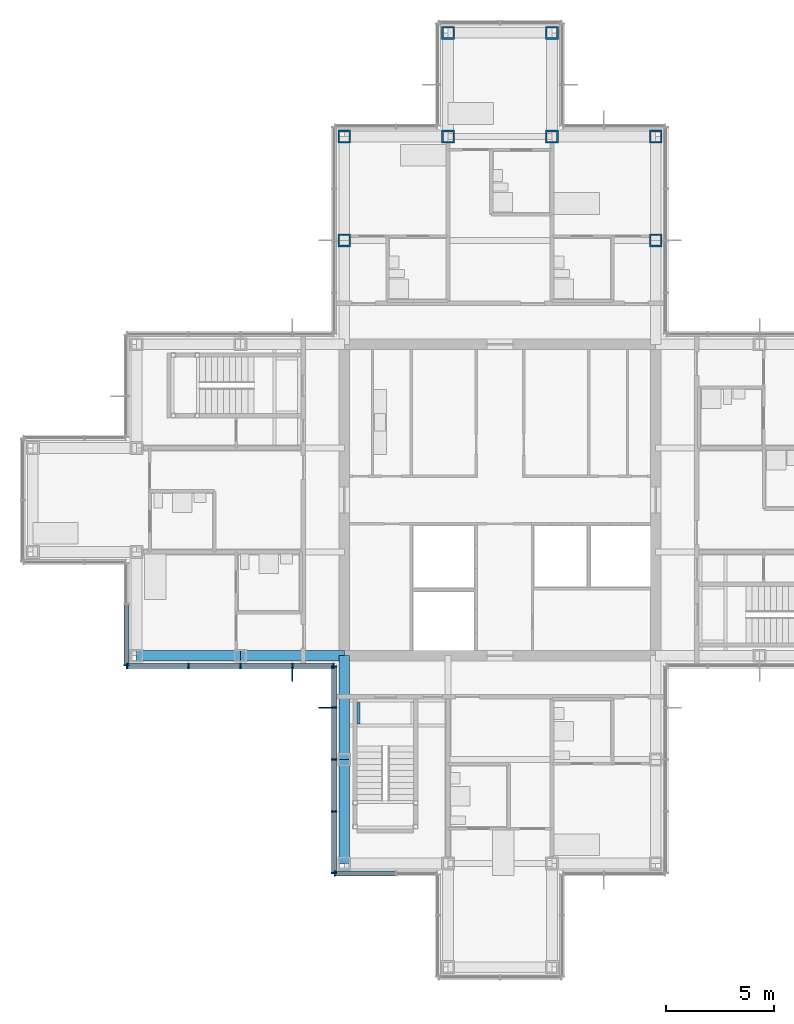
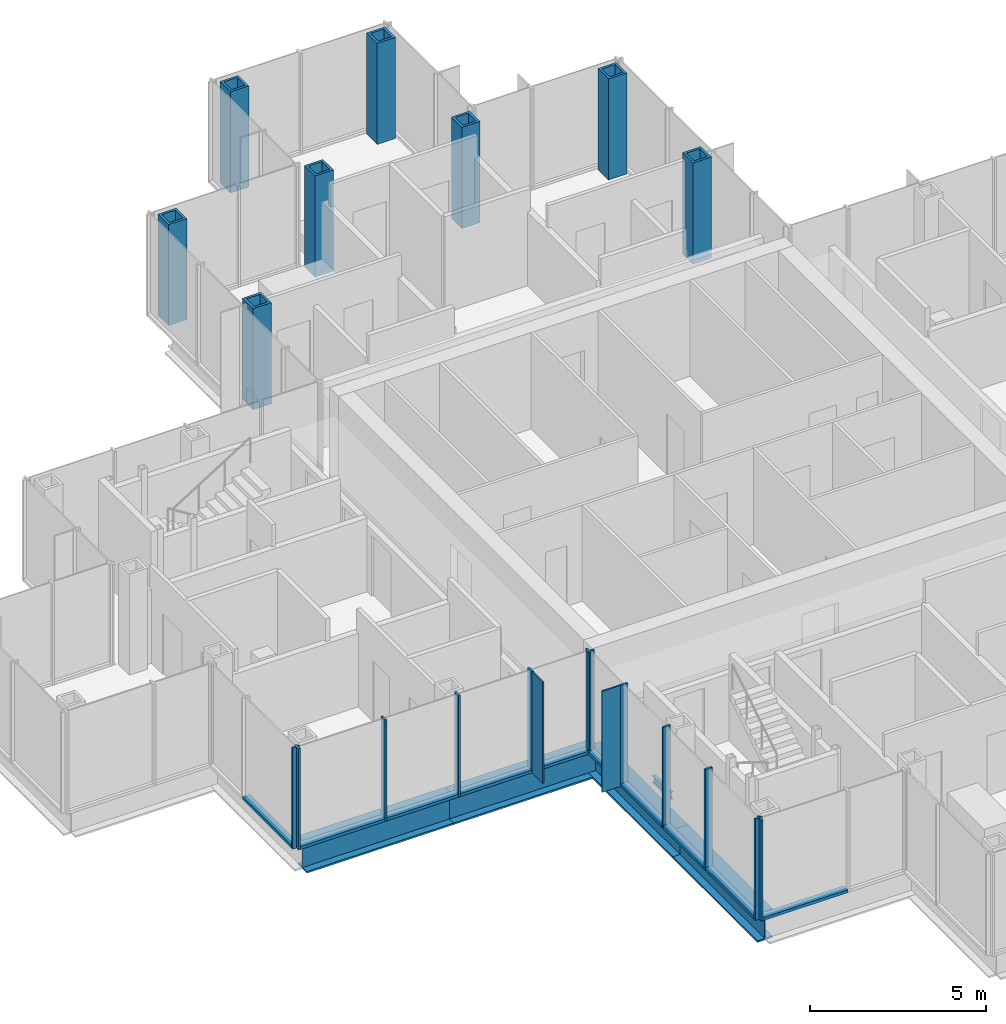
# One storey, part 5 of 17: 24 members, 8 columns, 5 beams, 4 elements without a shape of their own.
"""IFC4 building model written with IfcOpenShell, lengths in metres."""

from ifc_helpers import new_model, si_unit, direction, frame, origin, origin_2d, place, context, subcontext, project, spatial, rectangle, hollow_rectangle, i_section, extrude, material, material_profile, profile_set, type_object, element, aggregate, save


model = new_model("IFC4")

# Units and contexts
model_context = context("Model", 3, precision=1e-05, world=origin(), true_north=direction((0.0, 1.0)))
body_context = subcontext(model_context, "Body", "Model", "MODEL_VIEW")
ifc_project = project(units=[si_unit("LENGTHUNIT", "METRE"), si_unit("AREAUNIT", "SQUARE_METRE"), si_unit("VOLUMEUNIT", "CUBIC_METRE"), si_unit("PLANEANGLEUNIT", "RADIAN"), si_unit("MASSUNIT", "GRAM", prefix="KILO")], contexts=[model_context])

# Site, building, storey
site_placement = place(None, origin())
site = spatial("IfcSite", under=ifc_project, at=site_placement, CompositionType="ELEMENT")
building_placement = place(site_placement, origin())
building = spatial("IfcBuilding", under=site, at=building_placement, Name="Kvirike Care Tower", CompositionType="ELEMENT")
storey_placement = place(building_placement, frame((0.0, 0.0, 179.5)))
storey = spatial("IfcBuildingStorey", under=building, at=storey_placement, Name="L49", CompositionType="ELEMENT", Elevation=179.5)

# Columns
ifc_material_1 = material(Name="Steel S460", Category="steel")
ifc_material_profile_1 = material_profile(ifc_material_1, hollow_rectangle(XDim=0.60009765625, YDim=0.60009765625, WallThickness=0.080078125, at=origin_2d()), Name="BX 600x600x80")
ifc_profile_set_1 = profile_set([ifc_material_profile_1], Name="Steel S460")
column_type = type_object("IfcColumnType", Name="COLUMN BX 600x600x80", PredefinedType="COLUMN", material=ifc_profile_set_1)
for number, where, z_axis, x_axis, name in (
    (1, (14.39990234375, 48.0, 0.0), (0.0, 0.0, 1.0), (1.0, 0.0, 0.0), "Column L6 L49"),
    (2, (14.39990234375, 52.800048828125, 0.0), (0.0, 0.0, 1.0), (0.0, 1.0, 0.0), "Column M6 L49"),
    (3, (19.199951171875, 52.800048828125, 0.0), (0.0, 0.0, 1.0), (0.0, 1.0, 0.0), "Column M7 L49"),
    (4, (19.199951171875, 57.60009765625, 0.0), (0.0, 0.0, 1.0), (0.0, 1.0, 0.0), "Column N7 L49"),
    (5, (24.0, 52.800048828125, 0.0), (0.0, 0.0, 1.0), (0.0, 1.0, 0.0), "Column M8 L49"),
    (6, (24.0, 57.60009765625, 0.0), (0.0, 0.0, 1.0), (0.0, 1.0, 0.0), "Column N8 L49"),
    (7, (28.800048828125, 48.0, 0.0), (0.0, 0.0, 1.0), (1.0, 0.0, 0.0), "Column L9 L49"),
    (8, (28.800048828125, 52.800048828125, 0.0), (0.0, 0.0, 1.0), (0.0, 1.0, 0.0), "Column M9 L49"),
):
    element("IfcColumn", number, at=place(storey_placement, frame(where, z_axis=z_axis, x_axis=x_axis)), inside=storey, type_object=column_type, Name=name, PredefinedType="COLUMN", context=body_context, shape_type="SweptSolid", body=[
        extrude(hollow_rectangle(XDim=0.60009765625, YDim=0.60009765625, WallThickness=0.080078125, at=origin_2d()), origin(), (0.0, 0.0, 1.0), 3.5),
    ])

# Curtain wall, member
ifc_material_2 = material(Name="Anodised aluminium stick system", Category="aluminium")
curtain_wall_type = type_object("IfcCurtainWallType", Name="CW-C STICK CURTAIN WALL", PredefinedType="NOTDEFINED", material=ifc_material_2)
curtain_wall_1_placement = place(storey_placement, origin())
curtain_wall_1 = element("IfcCurtainWall", 9, at=curtain_wall_1_placement, inside=storey, type_object=curtain_wall_type, Name="Curtain wall L49 face 21", PredefinedType="NOTDEFINED")
ifc_material_3 = material(Name="Bronze anodised aluminium fin", Category="aluminium")
ifc_material_profile_2 = material_profile(ifc_material_3, rectangle(XDim=0.050048828125, YDim=0.60009765625, at=origin_2d()), Name="BRONZE FIN 600")
ifc_profile_set_2 = profile_set([ifc_material_profile_2], Name="Bronze anodised aluminium fin")
member_type_1 = type_object("IfcMemberType", Name="BRONZE FIN 600", PredefinedType="USERDEFINED", material=ifc_profile_set_2)
member_1_placement = place(storey_placement, frame((12.0, 27.909912109375, 0.0), z_axis=(0.0, 0.0, 1.0), x_axis=(1.0, 0.0, 0.0)))
member_1 = element("IfcMember", 10, at=member_1_placement, type_object=member_type_1, Name="Bronze fin L49 face 21.4", ObjectType="FIN", PredefinedType="USERDEFINED", context=body_context, shape_type="SweptSolid", body=[
    extrude(rectangle(XDim=0.050048828125, YDim=0.60009765625, at=origin_2d()), origin(), (0.0, 0.0, 1.0), 3.5),
])

curtain_wall_2_placement = place(storey_placement, origin())
curtain_wall_2 = element("IfcCurtainWall", 11, at=curtain_wall_2_placement, inside=storey, type_object=curtain_wall_type, Name="Curtain wall L49 face 22", PredefinedType="NOTDEFINED")
member_2_placement = place(storey_placement, frame((13.510009765625, 26.39990234375, 0.0), z_axis=(0.0, 0.0, 1.0), x_axis=(0.0, -1.0, 0.0)))
member_2 = element("IfcMember", 12, at=member_2_placement, type_object=member_type_1, Name="Bronze fin L49 face 22.2", ObjectType="FIN", PredefinedType="USERDEFINED", context=body_context, shape_type="SweptSolid", body=[
    extrude(rectangle(XDim=0.050048828125, YDim=0.60009765625, at=origin_2d()), origin(), (0.0, 0.0, 1.0), 3.5),
])

curtain_wall_3_placement = place(storey_placement, origin())
curtain_wall_3 = element("IfcCurtainWall", 13, at=curtain_wall_3_placement, inside=storey, type_object=curtain_wall_type, Name="Curtain wall L49 face 20", PredefinedType="NOTDEFINED")
ifc_material_4 = material(Name="Bronze anodised aluminium mullion", Category="aluminium")
ifc_material_profile_3 = material_profile(ifc_material_4, rectangle(XDim=0.06494140625, YDim=0.239990234375, at=origin_2d()), Name="CW-C MULLION 65x240")
ifc_profile_set_3 = profile_set([ifc_material_profile_3], Name="Bronze anodised aluminium mullion")
member_type_2 = type_object("IfcMemberType", Name="CW-C MULLION 65x240", PredefinedType="MULLION", material=ifc_profile_set_3)
member_3_placement = place(storey_placement, frame((4.330078125, 28.362548828125, 0.0), z_axis=(0.0, 0.0, 1.0), x_axis=(0.0, -1.0, 0.0)))
member_3 = element("IfcMember", 14, at=member_3_placement, type_object=member_type_2, Name="CW-C mullion L49 face 20.3", PredefinedType="MULLION", context=body_context, shape_type="SweptSolid", body=[
    extrude(rectangle(XDim=0.06494140625, YDim=0.239990234375, at=origin_2d()), origin(), (0.0, 0.0, 1.0), 3.5),
])

# Member
member_4_placement = place(storey_placement, frame((4.362548828125, 28.330078125, 0.0), z_axis=(0.0, 0.0, 1.0), x_axis=(1.0, 0.0, 0.0)))
member_4 = element("IfcMember", 15, at=member_4_placement, type_object=member_type_2, Name="CW-C mullion L49 face 21.1", PredefinedType="MULLION", context=body_context, shape_type="SweptSolid", body=[
    extrude(rectangle(XDim=0.06494140625, YDim=0.239990234375, at=origin_2d()), origin(), (0.0, 0.0, 1.0), 3.5),
])

member_5_placement = place(storey_placement, frame((7.199951171875, 28.330078125, 0.0), z_axis=(0.0, 0.0, 1.0), x_axis=(1.0, 0.0, 0.0)))
member_5 = element("IfcMember", 16, at=member_5_placement, type_object=member_type_2, Name="CW-C mullion L49 face 21.2", PredefinedType="MULLION", context=body_context, shape_type="SweptSolid", body=[
    extrude(rectangle(XDim=0.06494140625, YDim=0.239990234375, at=origin_2d()), origin(), (0.0, 0.0, 1.0), 3.5),
])

member_6_placement = place(storey_placement, frame((9.60009765625, 28.330078125, 0.0), z_axis=(0.0, 0.0, 1.0), x_axis=(1.0, 0.0, 0.0)))
member_6 = element("IfcMember", 17, at=member_6_placement, type_object=member_type_2, Name="CW-C mullion L49 face 21.3", PredefinedType="MULLION", context=body_context, shape_type="SweptSolid", body=[
    extrude(rectangle(XDim=0.06494140625, YDim=0.239990234375, at=origin_2d()), origin(), (0.0, 0.0, 1.0), 3.5),
])

member_7_placement = place(storey_placement, frame((12.0, 28.330078125, 0.0), z_axis=(0.0, 0.0, 1.0), x_axis=(1.0, 0.0, 0.0)))
member_7 = element("IfcMember", 18, at=member_7_placement, type_object=member_type_2, Name="CW-C mullion L49 face 21.4", PredefinedType="MULLION", context=body_context, shape_type="SweptSolid", body=[
    extrude(rectangle(XDim=0.06494140625, YDim=0.239990234375, at=origin_2d()), origin(), (0.0, 0.0, 1.0), 3.5),
])

member_8_placement = place(storey_placement, frame((13.8974609375, 28.330078125, 0.0), z_axis=(0.0, 0.0, 1.0), x_axis=(1.0, 0.0, 0.0)))
member_8 = element("IfcMember", 19, at=member_8_placement, type_object=member_type_2, Name="CW-C mullion L49 face 21.5", PredefinedType="MULLION", context=body_context, shape_type="SweptSolid", body=[
    extrude(rectangle(XDim=0.06494140625, YDim=0.239990234375, at=origin_2d()), origin(), (0.0, 0.0, 1.0), 3.5),
])

member_9_placement = place(storey_placement, frame((13.929931640625, 28.297607421875, 0.0), z_axis=(0.0, 0.0, 1.0), x_axis=(0.0, -1.0, 0.0)))
member_9 = element("IfcMember", 20, at=member_9_placement, type_object=member_type_2, Name="CW-C mullion L49 face 22.1", PredefinedType="MULLION", context=body_context, shape_type="SweptSolid", body=[
    extrude(rectangle(XDim=0.06494140625, YDim=0.239990234375, at=origin_2d()), origin(), (0.0, 0.0, 1.0), 3.5),
])

member_10_placement = place(storey_placement, frame((13.929931640625, 26.39990234375, 0.0), z_axis=(0.0, 0.0, 1.0), x_axis=(0.0, -1.0, 0.0)))
member_10 = element("IfcMember", 21, at=member_10_placement, type_object=member_type_2, Name="CW-C mullion L49 face 22.2", PredefinedType="MULLION", context=body_context, shape_type="SweptSolid", body=[
    extrude(rectangle(XDim=0.06494140625, YDim=0.239990234375, at=origin_2d()), origin(), (0.0, 0.0, 1.0), 3.5),
])

member_11_placement = place(storey_placement, frame((13.929931640625, 24.0, 0.0), z_axis=(0.0, 0.0, 1.0), x_axis=(0.0, -1.0, 0.0)))
member_11 = element("IfcMember", 22, at=member_11_placement, type_object=member_type_2, Name="CW-C mullion L49 face 22.3", PredefinedType="MULLION", context=body_context, shape_type="SweptSolid", body=[
    extrude(rectangle(XDim=0.06494140625, YDim=0.239990234375, at=origin_2d()), origin(), (0.0, 0.0, 1.0), 3.5),
])

member_12_placement = place(storey_placement, frame((13.929931640625, 21.60009765625, 0.0), z_axis=(0.0, 0.0, 1.0), x_axis=(0.0, -1.0, 0.0)))
member_12 = element("IfcMember", 23, at=member_12_placement, type_object=member_type_2, Name="CW-C mullion L49 face 22.4", PredefinedType="MULLION", context=body_context, shape_type="SweptSolid", body=[
    extrude(rectangle(XDim=0.06494140625, YDim=0.239990234375, at=origin_2d()), origin(), (0.0, 0.0, 1.0), 3.5),
])

member_13_placement = place(storey_placement, frame((13.929931640625, 18.762451171875, 0.0), z_axis=(0.0, 0.0, 1.0), x_axis=(0.0, -1.0, 0.0)))
member_13 = element("IfcMember", 24, at=member_13_placement, type_object=member_type_2, Name="CW-C mullion L49 face 22.5", PredefinedType="MULLION", context=body_context, shape_type="SweptSolid", body=[
    extrude(rectangle(XDim=0.06494140625, YDim=0.239990234375, at=origin_2d()), origin(), (0.0, 0.0, 1.0), 3.5),
])

# Curtain wall, member
curtain_wall_4_placement = place(storey_placement, origin())
curtain_wall_4 = element("IfcCurtainWall", 25, at=curtain_wall_4_placement, inside=storey, type_object=curtain_wall_type, Name="Curtain wall L49 face 23", PredefinedType="NOTDEFINED")
member_14_placement = place(storey_placement, frame((13.96240234375, 18.72998046875, 0.0), z_axis=(0.0, 0.0, 1.0), x_axis=(1.0, 0.0, 0.0)))
member_14 = element("IfcMember", 26, at=member_14_placement, type_object=member_type_2, Name="CW-C mullion L49 face 23.1", PredefinedType="MULLION", context=body_context, shape_type="SweptSolid", body=[
    extrude(rectangle(XDim=0.06494140625, YDim=0.239990234375, at=origin_2d()), origin(), (0.0, 0.0, 1.0), 3.5),
])

# Member
ifc_material_5 = material(Name="Bronze anodised aluminium transom", Category="aluminium")
ifc_material_profile_4 = material_profile(ifc_material_5, rectangle(XDim=0.239990234375, YDim=0.10009765625, at=origin_2d()), Name="CW-C TRANSOM 240x100")
ifc_profile_set_4 = profile_set([ifc_material_profile_4], Name="Bronze anodised aluminium transom")
member_type_3 = type_object("IfcMemberType", Name="CW-C TRANSOM 240x100", PredefinedType="USERDEFINED", material=ifc_profile_set_4)
member_15_placement = place(storey_placement, frame((4.330078125, 31.16748046875, 0.050048828125), z_axis=(0.0, -1.0, 0.0), x_axis=(1.0, 0.0, 0.0)))
member_15 = element("IfcMember", 27, at=member_15_placement, type_object=member_type_3, Name="CW-C sill transom L49 face 20.2", ObjectType="TRANSOM", PredefinedType="USERDEFINED", context=body_context, shape_type="SweptSolid", body=[
    extrude(rectangle(XDim=0.239990234375, YDim=0.10009765625, at=origin_2d()), origin(), (0.0, 0.0, 1.0), 2.7724609375),
])

aggregate(curtain_wall_3, [member_3, member_15])

member_16_placement = place(storey_placement, frame((4.39501953125, 28.330078125, 0.050048828125), z_axis=(1.0, 0.0, 0.0), x_axis=(0.0, 1.0, 0.0)))
member_16 = element("IfcMember", 28, at=member_16_placement, type_object=member_type_3, Name="CW-C sill transom L49 face 21.1", ObjectType="TRANSOM", PredefinedType="USERDEFINED", context=body_context, shape_type="SweptSolid", body=[
    extrude(rectangle(XDim=0.239990234375, YDim=0.10009765625, at=origin_2d()), origin(), (0.0, 0.0, 1.0), 2.7724609375),
])

member_17_placement = place(storey_placement, frame((7.232421875, 28.330078125, 0.050048828125), z_axis=(1.0, 0.0, 0.0), x_axis=(0.0, 1.0, 0.0)))
member_17 = element("IfcMember", 29, at=member_17_placement, type_object=member_type_3, Name="CW-C sill transom L49 face 21.2", ObjectType="TRANSOM", PredefinedType="USERDEFINED", context=body_context, shape_type="SweptSolid", body=[
    extrude(rectangle(XDim=0.239990234375, YDim=0.10009765625, at=origin_2d()), origin(), (0.0, 0.0, 1.0), 2.3349609375),
])

member_18_placement = place(storey_placement, frame((9.632568359375, 28.330078125, 0.050048828125), z_axis=(1.0, 0.0, 0.0), x_axis=(0.0, 1.0, 0.0)))
member_18 = element("IfcMember", 30, at=member_18_placement, type_object=member_type_3, Name="CW-C sill transom L49 face 21.3", ObjectType="TRANSOM", PredefinedType="USERDEFINED", context=body_context, shape_type="SweptSolid", body=[
    extrude(rectangle(XDim=0.239990234375, YDim=0.10009765625, at=origin_2d()), origin(), (0.0, 0.0, 1.0), 2.3349609375),
])

member_19_placement = place(storey_placement, frame((12.032470703125, 28.330078125, 0.050048828125), z_axis=(1.0, 0.0, 0.0), x_axis=(0.0, 1.0, 0.0)))
member_19 = element("IfcMember", 31, at=member_19_placement, type_object=member_type_3, Name="CW-C sill transom L49 face 21.4", ObjectType="TRANSOM", PredefinedType="USERDEFINED", context=body_context, shape_type="SweptSolid", body=[
    extrude(rectangle(XDim=0.239990234375, YDim=0.10009765625, at=origin_2d()), origin(), (0.0, 0.0, 1.0), 1.83251953125),
])

aggregate(curtain_wall_1, [member_4, member_5, member_6, member_7, member_1, member_8, member_16, member_17, member_18, member_19])

member_20_placement = place(storey_placement, frame((13.929931640625, 28.264892578125, 0.050048828125), z_axis=(0.0, -1.0, 0.0), x_axis=(1.0, 0.0, 0.0)))
member_20 = element("IfcMember", 32, at=member_20_placement, type_object=member_type_3, Name="CW-C sill transom L49 face 22.1", ObjectType="TRANSOM", PredefinedType="USERDEFINED", context=body_context, shape_type="SweptSolid", body=[
    extrude(rectangle(XDim=0.239990234375, YDim=0.10009765625, at=origin_2d()), origin(), (0.0, 0.0, 1.0), 1.832275390625),
])

member_21_placement = place(storey_placement, frame((13.929931640625, 26.367431640625, 0.050048828125), z_axis=(0.0, -1.0, 0.0), x_axis=(1.0, 0.0, 0.0)))
member_21 = element("IfcMember", 33, at=member_21_placement, type_object=member_type_3, Name="CW-C sill transom L49 face 22.2", ObjectType="TRANSOM", PredefinedType="USERDEFINED", context=body_context, shape_type="SweptSolid", body=[
    extrude(rectangle(XDim=0.239990234375, YDim=0.10009765625, at=origin_2d()), origin(), (0.0, 0.0, 1.0), 2.3349609375),
])

member_22_placement = place(storey_placement, frame((13.929931640625, 23.967529296875, 0.050048828125), z_axis=(0.0, -1.0, 0.0), x_axis=(1.0, 0.0, 0.0)))
member_22 = element("IfcMember", 34, at=member_22_placement, type_object=member_type_3, Name="CW-C sill transom L49 face 22.3", ObjectType="TRANSOM", PredefinedType="USERDEFINED", context=body_context, shape_type="SweptSolid", body=[
    extrude(rectangle(XDim=0.239990234375, YDim=0.10009765625, at=origin_2d()), origin(), (0.0, 0.0, 1.0), 2.3349609375),
])

member_23_placement = place(storey_placement, frame((13.929931640625, 21.5673828125, 0.050048828125), z_axis=(0.0, -1.0, 0.0), x_axis=(1.0, 0.0, 0.0)))
member_23 = element("IfcMember", 35, at=member_23_placement, type_object=member_type_3, Name="CW-C sill transom L49 face 22.4", ObjectType="TRANSOM", PredefinedType="USERDEFINED", context=body_context, shape_type="SweptSolid", body=[
    extrude(rectangle(XDim=0.239990234375, YDim=0.10009765625, at=origin_2d()), origin(), (0.0, 0.0, 1.0), 2.7724609375),
])

aggregate(curtain_wall_2, [member_9, member_10, member_2, member_11, member_12, member_13, member_20, member_21, member_22, member_23])

member_24_placement = place(storey_placement, frame((13.9951171875, 18.72998046875, 0.050048828125), z_axis=(1.0, 0.0, 0.0), x_axis=(0.0, 1.0, 0.0)))
member_24 = element("IfcMember", 36, at=member_24_placement, type_object=member_type_3, Name="CW-C sill transom L49 face 23.1", ObjectType="TRANSOM", PredefinedType="USERDEFINED", context=body_context, shape_type="SweptSolid", body=[
    extrude(rectangle(XDim=0.239990234375, YDim=0.10009765625, at=origin_2d()), origin(), (0.0, 0.0, 1.0), 2.7724609375),
])

aggregate(curtain_wall_4, [member_14, member_24])

# Beams
ifc_material_6 = material(Name="Steel S355", Category="steel")
ifc_material_profile_5 = material_profile(ifc_material_6, i_section(OverallWidth=0.5, OverallDepth=1.0, WebThickness=0.030029296875, FlangeThickness=0.06005859375, at=origin_2d()), Name="PG 1000x500x30x60")
ifc_profile_set_5 = profile_set([ifc_material_profile_5], Name="Steel S355")
beam_type_1 = type_object("IfcBeamType", Name="SPANDREL PG 1000x500x30x60", PredefinedType="SPANDREL", material=ifc_profile_set_5)
beam_1_placement = place(storey_placement, frame((4.800048828125, 28.800048828125, -0.669921875), z_axis=(1.0, 0.0, 0.0), x_axis=(0.0, 1.0, 0.0)))
element("IfcBeam", 37, at=beam_1_placement, inside=storey, type_object=beam_type_1, Name="Spandrel G4-G5 L49", PredefinedType="SPANDREL", context=body_context, shape_type="SweptSolid", body=[
    extrude(i_section(OverallWidth=0.5, OverallDepth=1.0, WebThickness=0.030029296875, FlangeThickness=0.06005859375, at=origin_2d()), origin(), (0.0, 0.0, 1.0), 4.800048828125),
])
beam_2_placement = place(storey_placement, frame((9.60009765625, 28.800048828125, -0.669921875), z_axis=(1.0, 0.0, 0.0), x_axis=(0.0, 1.0, 0.0)))
element("IfcBeam", 38, at=beam_2_placement, inside=storey, type_object=beam_type_1, Name="Spandrel G5-G6 L49", PredefinedType="SPANDREL", context=body_context, shape_type="SweptSolid", body=[
    extrude(i_section(OverallWidth=0.5, OverallDepth=1.0, WebThickness=0.030029296875, FlangeThickness=0.06005859375, at=origin_2d()), origin(), (0.0, 0.0, 1.0), 4.7998046875),
])
for number, where, z_axis, x_axis, name in (
    (39, (14.39990234375, 19.199951171875, -0.669921875), (0.0, 1.0, 0.0), (-1.0, 0.0, 0.0), "Spandrel E6-F6 L49"),
    (40, (14.39990234375, 24.0, -0.669921875), (0.0, 1.0, 0.0), (-1.0, 0.0, 0.0), "Spandrel F6-G6 L49"),
):
    element("IfcBeam", number, at=place(storey_placement, frame(where, z_axis=z_axis, x_axis=x_axis)), inside=storey, type_object=beam_type_1, Name=name, PredefinedType="SPANDREL", context=body_context, shape_type="SweptSolid", body=[
        extrude(i_section(OverallWidth=0.5, OverallDepth=1.0, WebThickness=0.030029296875, FlangeThickness=0.06005859375, at=origin_2d()), origin(), (0.0, 0.0, 1.0), 4.800048828125),
    ])
ifc_material_7 = material(Name="Steel S355", Category="steel")
ifc_material_profile_6 = material_profile(ifc_material_7, i_section(OverallWidth=0.1201171875, OverallDepth=0.239990234375, WebThickness=0.006103515625, FlangeThickness=0.009765625, FilletRadius=0.014892578125, at=origin_2d()), Name="IPE 240")
ifc_profile_set_6 = profile_set([ifc_material_profile_6], Name="Steel S355")
beam_type_2 = type_object("IfcBeamType", Name="STAIR LANDING BEAM IPE 240", PredefinedType="BEAM", material=ifc_profile_set_6)
beam_3_placement = place(storey_placement, frame((15.06005859375, 25.64990234375, -0.320068359375), z_axis=(0.0, 1.0, 0.0), x_axis=(-1.0, 0.0, 0.0)))
element("IfcBeam", 41, at=beam_3_placement, inside=storey, type_object=beam_type_2, Name="Stair 5 landing edge beam 1 L49", PredefinedType="BEAM", context=body_context, shape_type="SweptSolid", body=[
    extrude(i_section(OverallWidth=0.1201171875, OverallDepth=0.239990234375, WebThickness=0.006103515625, FlangeThickness=0.009765625, FilletRadius=0.014892578125, at=origin_2d()), origin(), (0.0, 0.0, 1.0), 1.0),
])

save(model, "model.ifc")
